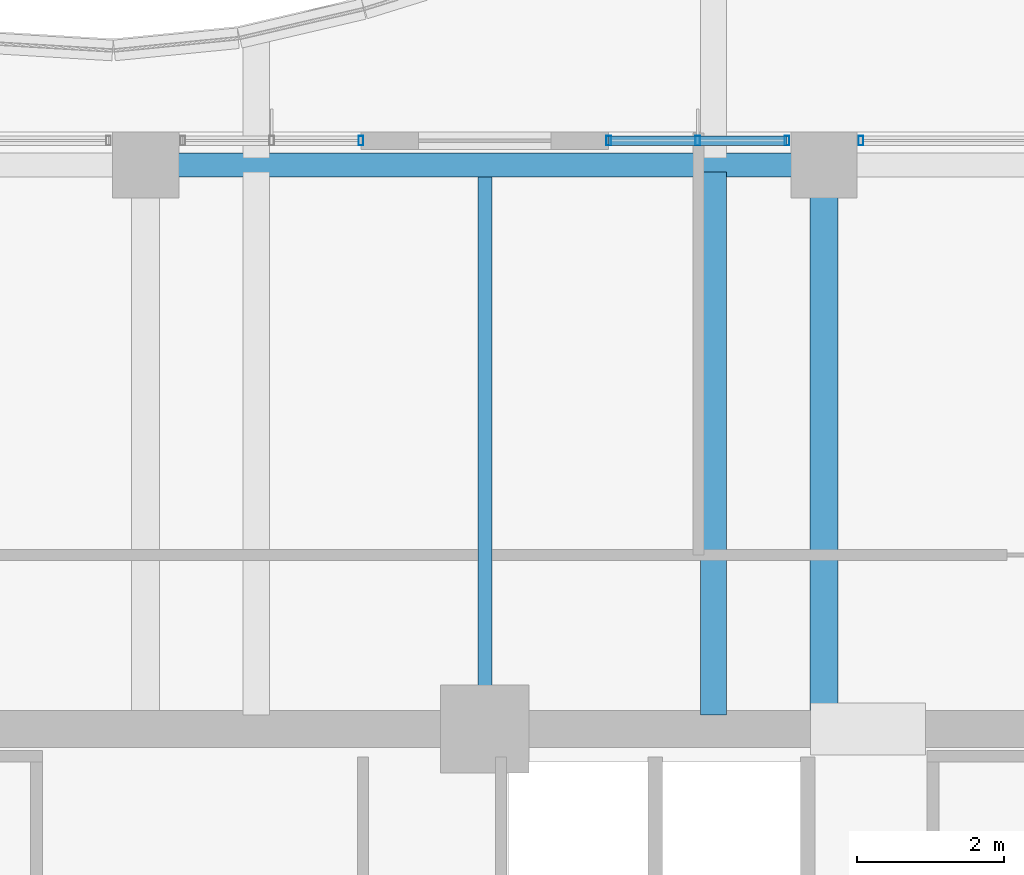
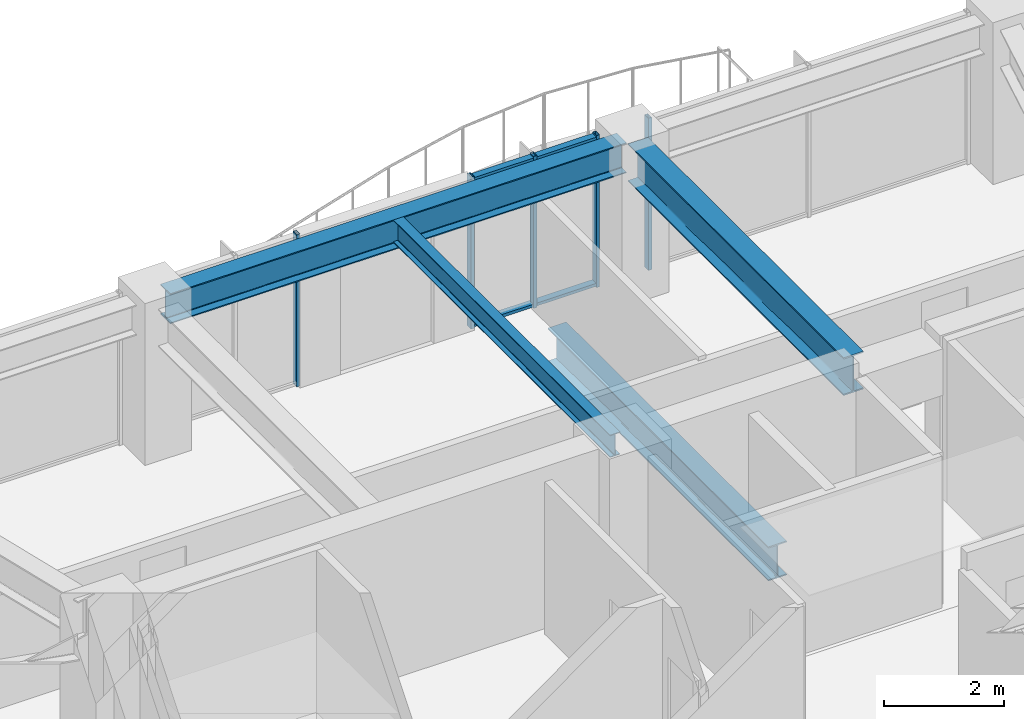
# One storey, part 18 of 31: 7 members, 4 beams, 3 elements without a shape of their own.
"""IFC4 building model written with IfcOpenShell, lengths in metres."""

from ifc_helpers import new_model, si_unit, direction, frame, origin, origin_2d, place, context, subcontext, project, spatial, hollow_rectangle, i_section, extrude, material, material_profile, profile_set, type_object, element, aggregate, save


model = new_model("IFC4")

# Units and contexts
model_context = context("Model", 3, precision=1e-05, world=origin(), true_north=direction((0.0, 1.0)))
body_context = subcontext(model_context, "Body", "Model", "MODEL_VIEW")
ifc_project = project(units=[si_unit("LENGTHUNIT", "METRE"), si_unit("AREAUNIT", "SQUARE_METRE"), si_unit("VOLUMEUNIT", "CUBIC_METRE"), si_unit("PLANEANGLEUNIT", "RADIAN"), si_unit("MASSUNIT", "GRAM", prefix="KILO")], contexts=[model_context])

# Site, building, storey
site_placement = place(None, origin())
site = spatial("IfcSite", under=ifc_project, at=site_placement, CompositionType="ELEMENT")
building_placement = place(site_placement, origin())
building = spatial("IfcBuilding", under=site, at=building_placement, Name="Kolvaren Belvedere", CompositionType="ELEMENT")
storey_placement = place(building_placement, frame((0.0, 0.0, 131.60009765625)))
storey = spatial("IfcBuildingStorey", under=building, at=storey_placement, Name="L38", CompositionType="ELEMENT", Elevation=131.60009765625)

# Beams
ifc_material_1 = material(Name="Structural steel ASTM A992 Grade 50", Category="steel")
ifc_material_profile_1 = material_profile(ifc_material_1, i_section(OverallWidth=0.35498046875, OverallDepth=0.696044921875, WebThickness=0.015380859375, FlangeThickness=0.02490234375, FilletRadius=0.02197265625, at=origin_2d()), Name="W27X146")
ifc_profile_set_1 = profile_set([ifc_material_profile_1], Name="Structural steel ASTM A992 Grade 50")
beam_type_1 = type_object("IfcBeamType", Name="BM-GIRD-W27X146", PredefinedType="BEAM", material=ifc_profile_set_1)
beam_1_placement = place(storey_placement, frame((3.10009765625, 10.090087890625, -0.548095703125), z_axis=(0.0, 1.0, 0.0), x_axis=(-1.0, 0.0, 0.0)))
element("IfcBeam", 1, at=beam_1_placement, inside=storey, type_object=beam_type_1, Name="L38 Balcony Interior Back-Span Girder BAL-N-2", PredefinedType="BEAM", context=body_context, shape_type="SweptSolid", body=[
    extrude(i_section(OverallWidth=0.35498046875, OverallDepth=0.696044921875, WebThickness=0.015380859375, FlangeThickness=0.02490234375, FilletRadius=0.02197265625, at=origin_2d()), origin(), (0.0, 0.0, 1.0), 7.364990234375),
])
ifc_material_2 = material(Name="Structural steel ASTM A992 Grade 50", Category="steel")
ifc_material_profile_2 = material_profile(ifc_material_2, i_section(OverallWidth=0.381103515625, OverallDepth=0.77294921875, WebThickness=0.0166015625, FlangeThickness=0.027099609375, FilletRadius=0.02392578125, at=origin_2d()), Name="W30X173")
ifc_profile_set_2 = profile_set([ifc_material_profile_2], Name="Structural steel ASTM A992 Grade 50")
beam_type_2 = type_object("IfcBeamType", Name="BM-GIRD-W30X173", PredefinedType="BEAM", material=ifc_profile_set_2)
beam_2_placement = place(storey_placement, frame((4.60009765625, 10.14990234375, 2.71337890625), z_axis=(0.0, 1.0, 0.0), x_axis=(-1.0, 0.0, 0.0)))
element("IfcBeam", 2, at=beam_2_placement, inside=storey, type_object=beam_type_2, Name="L38 North Radial Girder P", PredefinedType="BEAM", context=body_context, shape_type="SweptSolid", body=[
    extrude(i_section(OverallWidth=0.381103515625, OverallDepth=0.77294921875, WebThickness=0.0166015625, FlangeThickness=0.027099609375, FilletRadius=0.02392578125, at=origin_2d()), origin(), (0.0, 0.0, 1.0), 7.197509765625),
])
ifc_material_3 = material(Name="Structural steel ASTM A992 Grade 50", Category="steel")
ifc_material_profile_3 = material_profile(ifc_material_3, i_section(OverallWidth=0.19091796875, OverallDepth=0.4599609375, WebThickness=0.010009765625, FlangeThickness=0.01611328125, FilletRadius=0.014892578125, at=origin_2d()), Name="W18X55")
ifc_profile_set_3 = profile_set([ifc_material_profile_3], Name="Structural steel ASTM A992 Grade 50")
beam_type_3 = type_object("IfcBeamType", Name="BM-JOIST-W18X55", PredefinedType="BEAM", material=ifc_profile_set_3)
beam_3_placement = place(storey_placement, frame((0.0, 10.14990234375, 2.869873046875), z_axis=(0.0, 1.0, 0.0), x_axis=(-1.0, 0.0, 0.0)))
element("IfcBeam", 3, at=beam_3_placement, inside=storey, type_object=beam_type_3, Name="L38 North Centre Floor Beam", PredefinedType="BEAM", context=body_context, shape_type="SweptSolid", body=[
    extrude(i_section(OverallWidth=0.19091796875, OverallDepth=0.4599609375, WebThickness=0.010009765625, FlangeThickness=0.01611328125, FilletRadius=0.014892578125, at=origin_2d()), origin(), (0.0, 0.0, 1.0), 7.237548828125),
])
ifc_material_4 = material(Name="Structural steel ASTM A992 Grade 50", Category="steel")
ifc_material_profile_4 = material_profile(ifc_material_4, i_section(OverallWidth=0.324951171875, OverallDepth=0.615966796875, WebThickness=0.013916015625, FlangeThickness=0.021484375, FilletRadius=0.02001953125, at=origin_2d()), Name="W24X117")
ifc_profile_set_4 = profile_set([ifc_material_profile_4], Name="Structural steel ASTM A992 Grade 50")
beam_type_4 = type_object("IfcBeamType", Name="BM-SPAN-W24X117", PredefinedType="SPANDREL", material=ifc_profile_set_4)
beam_4_placement = place(storey_placement, frame((4.3974609375, 17.550048828125, 2.7919921875), z_axis=(-1.0, 0.0, 0.0), x_axis=(0.0, -1.0, 0.0)))
element("IfcBeam", 4, at=beam_4_placement, inside=storey, type_object=beam_type_4, Name="L38 Perimeter Spandrel N3-N2", PredefinedType="SPANDREL", context=body_context, shape_type="SweptSolid", body=[
    extrude(i_section(OverallWidth=0.324951171875, OverallDepth=0.615966796875, WebThickness=0.013916015625, FlangeThickness=0.021484375, FilletRadius=0.02001953125, at=origin_2d()), origin(), (0.0, 0.0, 1.0), 8.794921875),
])

# Curtain wall, member
ifc_material_5 = material(Name="Anodised pale-metal aluminium AA 6063-T6", Category="aluminium")
curtain_wall_type = type_object("IfcCurtainWallType", Name="CW-Z3-WAIST", PredefinedType="NOTDEFINED", material=ifc_material_5)
curtain_wall_1_placement = place(storey_placement, origin())
curtain_wall_1 = element("IfcCurtainWall", 5, at=curtain_wall_1_placement, inside=storey, type_object=curtain_wall_type, Name="L38 Unitised Curtain Wall FCW-L38-N1-B2", PredefinedType="NOTDEFINED")
ifc_material_6 = material(Name="Anodised pale-metal aluminium AA 6063-T6", Category="aluminium")
ifc_material_profile_5 = material_profile(ifc_material_6, hollow_rectangle(XDim=0.06494140625, YDim=0.1298828125, WallThickness=0.00390625, at=origin_2d()), Name="ALU-MUL-130X65")
ifc_profile_set_5 = profile_set([ifc_material_profile_5], Name="Anodised pale-metal aluminium AA 6063-T6")
member_type_1 = type_object("IfcMemberType", Name="CW-MUL-130", PredefinedType="MULLION", material=ifc_profile_set_5)
member_1_placement = place(storey_placement, frame((-1.679931640625, 17.8798828125, 0.0), z_axis=(0.0, 0.0, 1.0), x_axis=(1.0, 0.0, 0.0)))
member_1 = element("IfcMember", 6, at=member_1_placement, type_object=member_type_1, Name="FCW-L38-N1-B2 Unitised Mullion 3", PredefinedType="MULLION", context=body_context, shape_type="SweptSolid", body=[
    extrude(hollow_rectangle(XDim=0.06494140625, YDim=0.1298828125, WallThickness=0.00390625, at=origin_2d()), origin(), (0.0, 0.0, 1.0), 3.099853515625),
])
aggregate(curtain_wall_1, [member_1])

# Curtain wall, members
curtain_wall_2_placement = place(storey_placement, origin())
curtain_wall_2 = element("IfcCurtainWall", 7, at=curtain_wall_2_placement, inside=storey, type_object=curtain_wall_type, Name="L38 Unitised Curtain Wall FCW-L38-N2-B1", PredefinedType="NOTDEFINED")
member_2_placement = place(storey_placement, frame((1.679931640625, 17.8798828125, 0.0), z_axis=(0.0, 0.0, 1.0), x_axis=(1.0, 0.0, 0.0)))
member_2 = element("IfcMember", 8, at=member_2_placement, type_object=member_type_1, Name="FCW-L38-N2-B1 Unitised Mullion 1", PredefinedType="MULLION", context=body_context, shape_type="SweptSolid", body=[
    extrude(hollow_rectangle(XDim=0.06494140625, YDim=0.1298828125, WallThickness=0.00390625, at=origin_2d()), origin(), (0.0, 0.0, 1.0), 3.099853515625),
])
member_3_placement = place(storey_placement, frame((2.888671875, 17.8798828125, 0.0), z_axis=(0.0, 0.0, 1.0), x_axis=(1.0, 0.0, 0.0)))
member_3 = element("IfcMember", 9, at=member_3_placement, type_object=member_type_1, Name="FCW-L38-N2-B1 Unitised Mullion 2", PredefinedType="MULLION", context=body_context, shape_type="SweptSolid", body=[
    extrude(hollow_rectangle(XDim=0.06494140625, YDim=0.1298828125, WallThickness=0.00390625, at=origin_2d()), origin(), (0.0, 0.0, 1.0), 3.099853515625),
])
member_4_placement = place(storey_placement, frame((4.097412109375, 17.8798828125, 0.0), z_axis=(0.0, 0.0, 1.0), x_axis=(1.0, 0.0, 0.0)))
member_4 = element("IfcMember", 10, at=member_4_placement, type_object=member_type_1, Name="FCW-L38-N2-B1 Unitised Mullion 3", PredefinedType="MULLION", context=body_context, shape_type="SweptSolid", body=[
    extrude(hollow_rectangle(XDim=0.06494140625, YDim=0.1298828125, WallThickness=0.00390625, at=origin_2d()), origin(), (0.0, 0.0, 1.0), 3.099853515625),
])

# Curtain wall, member
curtain_wall_3_placement = place(storey_placement, origin())
curtain_wall_3 = element("IfcCurtainWall", 11, at=curtain_wall_3_placement, inside=storey, type_object=curtain_wall_type, Name="L38 Unitised Curtain Wall FCW-L38-N2-B2", PredefinedType="NOTDEFINED")
member_5_placement = place(storey_placement, frame((5.1025390625, 17.8798828125, 0.0), z_axis=(0.0, 0.0, 1.0), x_axis=(1.0, 0.0, 0.0)))
member_5 = element("IfcMember", 12, at=member_5_placement, type_object=member_type_1, Name="FCW-L38-N2-B2 Unitised Mullion 1", PredefinedType="MULLION", context=body_context, shape_type="SweptSolid", body=[
    extrude(hollow_rectangle(XDim=0.06494140625, YDim=0.1298828125, WallThickness=0.00390625, at=origin_2d()), origin(), (0.0, 0.0, 1.0), 3.099853515625),
])
aggregate(curtain_wall_3, [member_5])

# Member
ifc_material_7 = material(Name="Anodised pale-metal aluminium AA 6063-T6", Category="aluminium")
ifc_material_profile_6 = material_profile(ifc_material_7, hollow_rectangle(XDim=0.06005859375, YDim=0.1298828125, WallThickness=0.00390625, at=origin_2d()), Name="ALU-TRN-130X60")
ifc_profile_set_6 = profile_set([ifc_material_profile_6], Name="Anodised pale-metal aluminium AA 6063-T6")
member_type_2 = type_object("IfcMemberType", Name="CW-TRN-130", PredefinedType="USERDEFINED", material=ifc_profile_set_6)
member_6_placement = place(storey_placement, frame((1.679931640625, 17.8798828125, 0.059814453125), z_axis=(1.0, 0.0, 0.0), x_axis=(0.0, 0.0, 1.0)))
member_6 = element("IfcMember", 13, at=member_6_placement, type_object=member_type_2, Name="FCW-L38-N2-B1 Sill Transom", ObjectType="TRANSOM", PredefinedType="USERDEFINED", context=body_context, shape_type="SweptSolid", body=[
    extrude(hollow_rectangle(XDim=0.06005859375, YDim=0.1298828125, WallThickness=0.00390625, at=origin_2d()), origin(), (0.0, 0.0, 1.0), 2.41748046875),
])

member_7_placement = place(storey_placement, frame((1.679931640625, 17.8798828125, 3.039794921875), z_axis=(1.0, 0.0, 0.0), x_axis=(0.0, 0.0, 1.0)))
member_7 = element("IfcMember", 14, at=member_7_placement, type_object=member_type_2, Name="FCW-L38-N2-B1 Head Transom", ObjectType="TRANSOM", PredefinedType="USERDEFINED", context=body_context, shape_type="SweptSolid", body=[
    extrude(hollow_rectangle(XDim=0.06005859375, YDim=0.1298828125, WallThickness=0.00390625, at=origin_2d()), origin(), (0.0, 0.0, 1.0), 2.41748046875),
])

aggregate(curtain_wall_2, [member_2, member_3, member_4, member_6, member_7])

save(model, "model.ifc")
